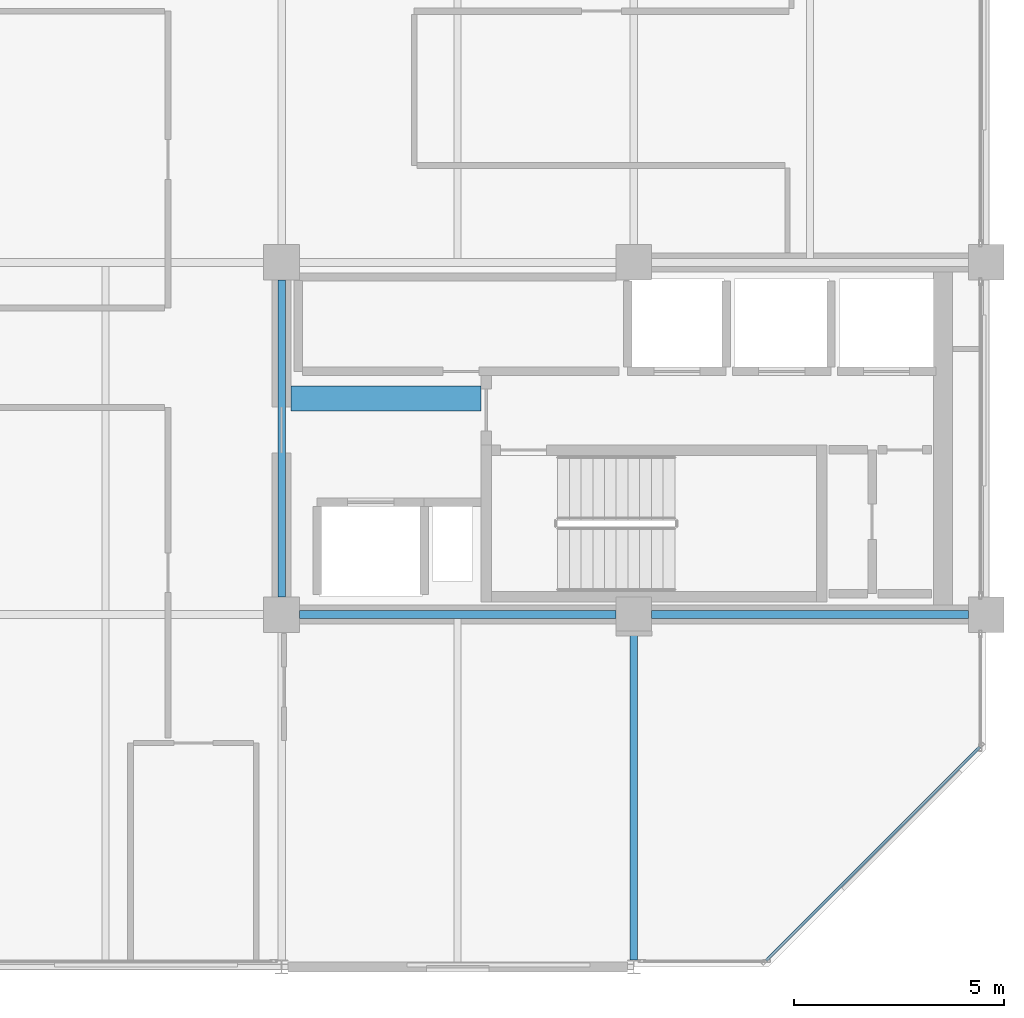
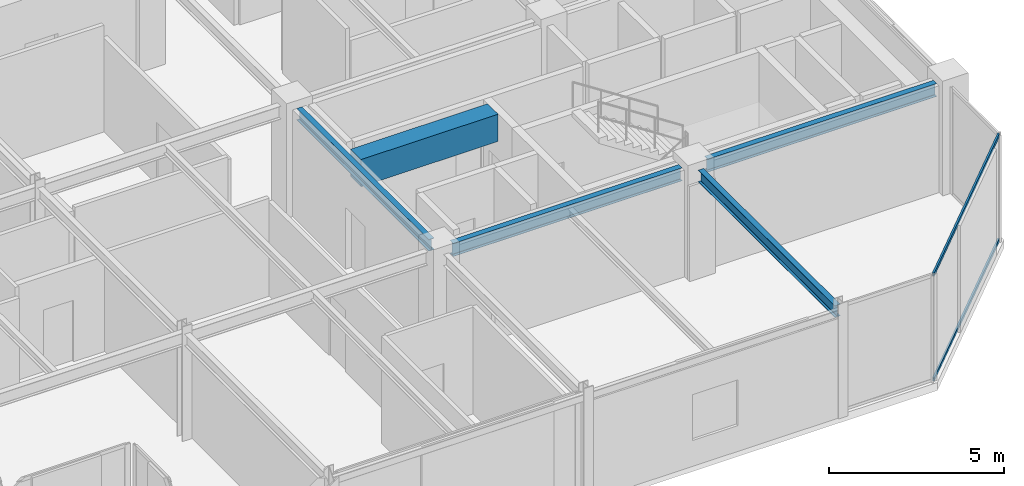
# One storey, part 8 of 24: 5 beams, 2 members, 1 element without a shape of its own.
"""IFC4 building model written with IfcOpenShell, lengths in metres."""

from ifc_helpers import new_model, si_unit, direction, frame, origin, origin_2d, place, context, subcontext, project, spatial, rectangle, hollow_rectangle, i_section, extrude, material, layer, layer_set, material_profile, profile_set, type_object, element, aggregate, save


model = new_model("IFC4")

# Units and contexts
model_context = context("Model", 3, precision=1e-05, world=origin(), true_north=direction((0.0, 1.0)))
body_context = subcontext(model_context, "Body", "Model", "MODEL_VIEW")
ifc_project = project(units=[si_unit("LENGTHUNIT", "METRE"), si_unit("AREAUNIT", "SQUARE_METRE"), si_unit("VOLUMEUNIT", "CUBIC_METRE"), si_unit("PLANEANGLEUNIT", "RADIAN"), si_unit("MASSUNIT", "GRAM", prefix="KILO")], contexts=[model_context])

# Site, building, storey
site_placement = place(None, origin())
site = spatial("IfcSite", under=ifc_project, at=site_placement, CompositionType="ELEMENT")
building_placement = place(site_placement, origin())
building = spatial("IfcBuilding", under=site, at=building_placement, Name="Nerrivon Quay Data Exchange", CompositionType="ELEMENT")
storey_placement = place(building_placement, frame((0.0, 0.0, 306.199951171875)))
storey = spatial("IfcBuildingStorey", under=building, at=storey_placement, Name="L73", CompositionType="ELEMENT", Elevation=306.199951171875)

# Beams
ifc_material_1 = material(Name="Concrete N50 (50 MPa)", Category="concrete")
ifc_material_profile_1 = material_profile(ifc_material_1, rectangle(XDim=0.60009765625, YDim=0.949951171875, at=origin_2d()), Name="RC-CB-600x950")
ifc_profile_set_1 = profile_set([ifc_material_profile_1], Name="Concrete N50 (50 MPa)")
beam_type_1 = type_object("IfcBeamType", Name="BM-CB2-600x950", PredefinedType="LINTEL", material=ifc_profile_set_1)
beam_1_placement = place(storey_placement, frame((17.02490234375, 13.550048828125, 3.25), z_axis=(1.0, 0.0, 0.0), x_axis=(0.0, 1.0, 0.0)))
element("IfcBeam", 1, at=beam_1_placement, inside=storey, type_object=beam_type_1, Name="L73 East Core Coupling Beam", PredefinedType="LINTEL", context=body_context, shape_type="SweptSolid", body=[
    extrude(rectangle(XDim=0.60009765625, YDim=0.949951171875, at=origin_2d()), origin(), (0.0, 0.0, 1.0), 4.530029296875),
])
ifc_material_2 = material(Name="Steel Grade 350", Category="steel")
ifc_material_profile_2 = material_profile(ifc_material_2, i_section(OverallWidth=0.18994140625, OverallDepth=0.4541015625, WebThickness=0.008544921875, FlangeThickness=0.0126953125, FilletRadius=0.011474609375, at=origin_2d()), Name="460UB67.1")
ifc_profile_set_2 = profile_set([ifc_material_profile_2], Name="Steel Grade 350")
beam_type_2 = type_object("IfcBeamType", Name="BM-G6-460UB67", PredefinedType="BEAM", material=ifc_profile_set_2)
beam_2_placement = place(storey_placement, frame((17.22509765625, 8.39990234375, 3.498046875), z_axis=(1.0, 0.0, 0.0), x_axis=(0.0, 1.0, 0.0)))
element("IfcBeam", 2, at=beam_2_placement, inside=storey, type_object=beam_type_2, Name="L73 EW Girder Y=8.4 (16.8..25.2)", PredefinedType="BEAM", context=body_context, shape_type="SweptSolid", body=[
    extrude(i_section(OverallWidth=0.18994140625, OverallDepth=0.4541015625, WebThickness=0.008544921875, FlangeThickness=0.0126953125, FilletRadius=0.011474609375, at=origin_2d()), origin(), (0.0, 0.0, 1.0), 7.5498046875),
])
beam_3_placement = place(storey_placement, frame((25.625, 8.39990234375, 3.498046875), z_axis=(1.0, 0.0, 0.0), x_axis=(0.0, 1.0, 0.0)))
element("IfcBeam", 3, at=beam_3_placement, inside=storey, type_object=beam_type_2, Name="L73 EW Girder Y=8.4 (25.2..33.6)", PredefinedType="BEAM", context=body_context, shape_type="SweptSolid", body=[
    extrude(i_section(OverallWidth=0.18994140625, OverallDepth=0.4541015625, WebThickness=0.008544921875, FlangeThickness=0.0126953125, FilletRadius=0.011474609375, at=origin_2d()), origin(), (0.0, 0.0, 1.0), 7.550048828125),
])
ifc_material_profile_3 = material_profile(ifc_material_2, i_section(OverallWidth=0.177978515625, OverallDepth=0.406005859375, WebThickness=0.0078125, FlangeThickness=0.0126953125, FilletRadius=0.011474609375, at=origin_2d()), Name="410UB59.7")
ifc_profile_set_3 = profile_set([ifc_material_profile_3], Name="Steel Grade 350")
beam_type_3 = type_object("IfcBeamType", Name="BM-J1-410UB60", PredefinedType="JOIST", material=ifc_profile_set_3)
beam_4_placement = place(storey_placement, frame((16.800048828125, 8.824951171875, 3.52197265625), z_axis=(0.0, 1.0, 0.0), x_axis=(-1.0, 0.0, 0.0)))
element("IfcBeam", 4, at=beam_4_placement, inside=storey, type_object=beam_type_3, Name="L73 NS Girder X=16.8 (8.4..16.8)", PredefinedType="JOIST", context=body_context, shape_type="SweptSolid", body=[
    extrude(i_section(OverallWidth=0.177978515625, OverallDepth=0.406005859375, WebThickness=0.0078125, FlangeThickness=0.0126953125, FilletRadius=0.011474609375, at=origin_2d()), origin(), (0.0, 0.0, 1.0), 7.550048828125),
])
beam_5_placement = place(storey_placement, frame((25.199951171875, 0.16357421875, 3.52197265625), z_axis=(0.0, 1.0, 0.0), x_axis=(-1.0, 0.0, 0.0)))
element("IfcBeam", 5, at=beam_5_placement, inside=storey, type_object=beam_type_3, Name="L73 NS Girder X=25.2 (0.0..8.4)", PredefinedType="JOIST", context=body_context, shape_type="SweptSolid", body=[
    extrude(i_section(OverallWidth=0.177978515625, OverallDepth=0.406005859375, WebThickness=0.0078125, FlangeThickness=0.0126953125, FilletRadius=0.011474609375, at=origin_2d()), origin(), (0.0, 0.0, 1.0), 7.8115234375),
])

# Curtain wall, members
ifc_material_3 = material(Name="Anodised aluminium 6063-T6", Category="aluminium")
ifc_layer = layer(ifc_material_3, 0.195068359375)
ifc_layer_set = layer_set([ifc_layer], Name="Anodised aluminium 6063-T6")
curtain_wall_type = type_object("IfcCurtainWallType", Name="CW-SYS-06", PredefinedType="NOTDEFINED", material=ifc_layer_set)
curtain_wall_placement = place(storey_placement, origin())
curtain_wall = element("IfcCurtainWall", 6, at=curtain_wall_placement, inside=storey, type_object=curtain_wall_type, Name="L73 Unitised Curtain Wall 1", PredefinedType="NOTDEFINED")
ifc_material_profile_4 = material_profile(ifc_material_3, hollow_rectangle(XDim=0.06005859375, YDim=0.1201171875, WallThickness=0.003173828125, at=origin_2d()), Name="ALU-TRAN-120x60")
ifc_profile_set_4 = profile_set([ifc_material_profile_4], Name="Anodised aluminium 6063-T6")
member_type = type_object("IfcMemberType", Name="CWT-120x60", PredefinedType="USERDEFINED", material=ifc_profile_set_4)
member_1_placement = place(storey_placement, frame((33.447998046875, 5.245849609375, 0.032470703125), z_axis=(-0.707123726196, -0.707089835771, 0.0), x_axis=(0.707089835771, -0.707123726196, 0.0)))
member_1 = element("IfcMember", 7, at=member_1_placement, type_object=member_type, Name="CW06 transom 1.1", ObjectType="TRANSOM", PredefinedType="USERDEFINED", context=body_context, shape_type="SweptSolid", body=[
    extrude(hollow_rectangle(XDim=0.06005859375, YDim=0.1201171875, WallThickness=0.003173828125, at=origin_2d()), origin(), (0.0, 0.0, 1.0), 7.203857421875),
])
member_2_placement = place(storey_placement, frame((33.447998046875, 5.245849609375, 3.692626953125), z_axis=(-0.707123726196, -0.707089835771, 0.0), x_axis=(0.707089835771, -0.707123726196, 0.0)))
member_2 = element("IfcMember", 8, at=member_2_placement, type_object=member_type, Name="CW06 transom 1.2", ObjectType="TRANSOM", PredefinedType="USERDEFINED", context=body_context, shape_type="SweptSolid", body=[
    extrude(hollow_rectangle(XDim=0.06005859375, YDim=0.1201171875, WallThickness=0.003173828125, at=origin_2d()), origin(), (0.0, 0.0, 1.0), 7.203857421875),
])
aggregate(curtain_wall, [member_1, member_2])

save(model, "model.ifc")
